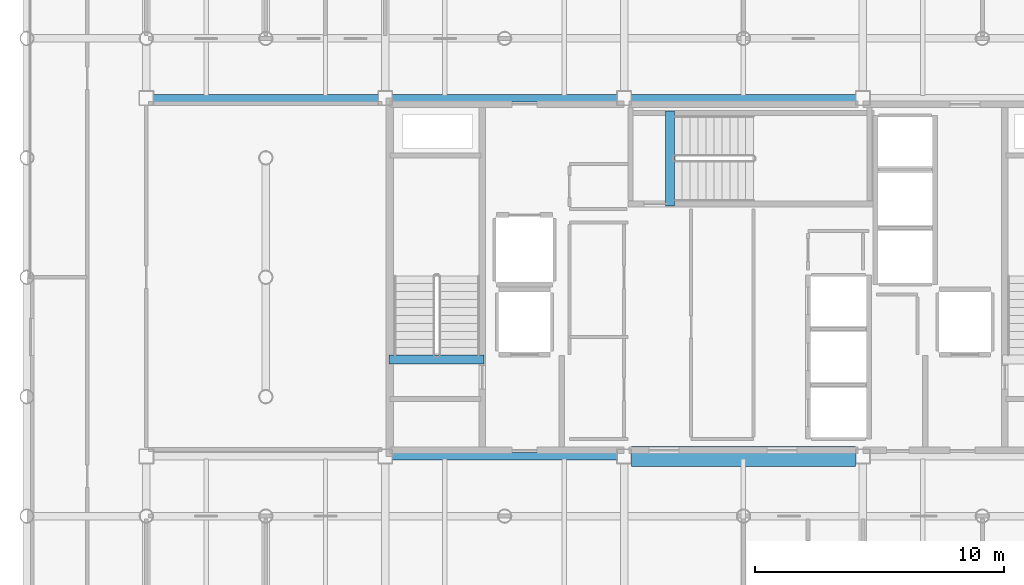
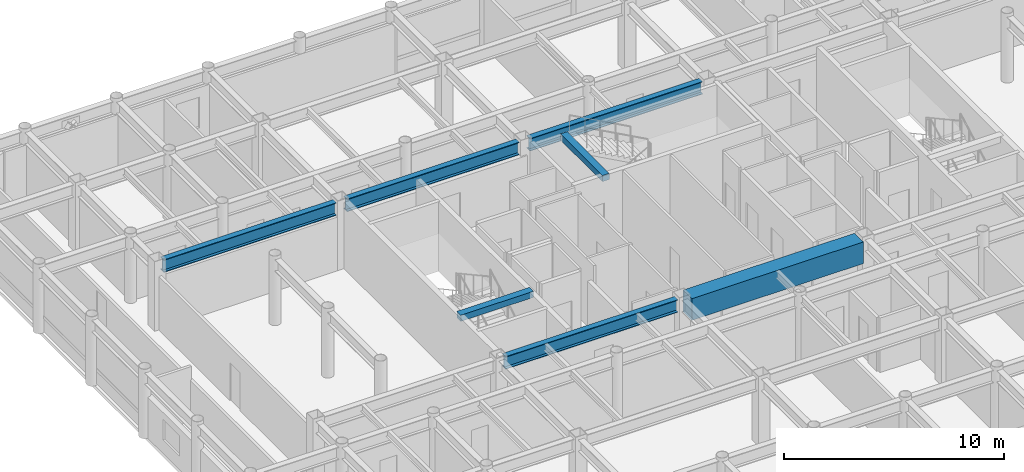
# One storey, part 7 of 21: 7 beams.
"""IFC4 building model written with IfcOpenShell, lengths in metres."""

from ifc_helpers import new_model, si_unit, direction, frame, origin, origin_2d, place, context, subcontext, project, spatial, rectangle, i_section, extrude, material, material_profile, profile_set, type_object, element, save


model = new_model("IFC4")

# Units and contexts
model_context = context("Model", 3, precision=1e-05, world=origin(), true_north=direction((0.0, 1.0)))
body_context = subcontext(model_context, "Body", "Model", "MODEL_VIEW")
ifc_project = project(units=[si_unit("LENGTHUNIT", "METRE"), si_unit("AREAUNIT", "SQUARE_METRE"), si_unit("VOLUMEUNIT", "CUBIC_METRE"), si_unit("PLANEANGLEUNIT", "RADIAN"), si_unit("MASSUNIT", "GRAM", prefix="KILO")], contexts=[model_context])

# Site, building, storey
site_placement = place(None, origin())
site = spatial("IfcSite", under=ifc_project, at=site_placement, CompositionType="ELEMENT")
building_placement = place(site_placement, origin())
building = spatial("IfcBuilding", under=site, at=building_placement, Name="Kallvorn Hotel Tower", CompositionType="ELEMENT")
storey_placement = place(building_placement, frame((0.0, 0.0, 210.75)))
storey = spatial("IfcBuildingStorey", under=building, at=storey_placement, Name="L52", CompositionType="ELEMENT", Elevation=210.75)

# Beams
ifc_material_1 = material(Name="Structural steel S355JR", Category="steel")
ifc_material_profile_1 = material_profile(ifc_material_1, i_section(OverallWidth=0.300048828125, OverallDepth=0.699951171875, WebThickness=0.01708984375, FlangeThickness=0.031982421875, at=origin_2d()), Name="HE 700 B")
ifc_profile_set_1 = profile_set([ifc_material_profile_1], Name="Structural steel S355JR")
beam_type_1 = type_object("IfcBeamType", Name="BM_HE700B", PredefinedType="BEAM", material=ifc_profile_set_1)
for number, where, z_axis, x_axis, name in (
    (1, (-14.125, -7.199951171875, 3.320068359375), (1.0, 0.0, 0.0), (0.0, 1.0, 0.0), "L53 Primary X-Girder 34"),
    (2, (-23.72509765625, 7.199951171875, 3.320068359375), (1.0, 0.0, 0.0), (0.0, 1.0, 0.0), "L53 Primary X-Girder 37"),
    (3, (-14.125, 7.199951171875, 3.320068359375), (1.0, 0.0, 0.0), (0.0, 1.0, 0.0), "L53 Primary X-Girder 38"),
):
    element("IfcBeam", number, at=place(storey_placement, frame(where, z_axis=z_axis, x_axis=x_axis)), inside=storey, type_object=beam_type_1, Name=name, PredefinedType="BEAM", context=body_context, shape_type="SweptSolid", body=[
        extrude(i_section(OverallWidth=0.300048828125, OverallDepth=0.699951171875, WebThickness=0.01708984375, FlangeThickness=0.031982421875, at=origin_2d()), origin(), (0.0, 0.0, 1.0), 9.050048828125),
    ])
beam_1_placement = place(storey_placement, frame((-4.52490234375, 7.199951171875, 3.320068359375), z_axis=(1.0, 0.0, 0.0), x_axis=(0.0, 1.0, 0.0)))
element("IfcBeam", 4, at=beam_1_placement, inside=storey, type_object=beam_type_1, Name="L53 Primary X-Girder 39", PredefinedType="BEAM", context=body_context, shape_type="SweptSolid", body=[
    extrude(i_section(OverallWidth=0.300048828125, OverallDepth=0.699951171875, WebThickness=0.01708984375, FlangeThickness=0.031982421875, at=origin_2d()), origin(), (0.0, 0.0, 1.0), 9.0498046875),
])
ifc_material_2 = material(Name="Concrete C50/60", Category="concrete")
ifc_material_profile_2 = material_profile(ifc_material_2, rectangle(XDim=0.360107421875, YDim=0.340087890625, at=origin_2d()), Name="RC 360x340")
ifc_profile_set_2 = profile_set([ifc_material_profile_2], Name="Concrete C50/60")
beam_type_2 = type_object("IfcBeamType", Name="BM_RC_400x360", PredefinedType="BEAM", material=ifc_profile_set_2)
beam_2_placement = place(storey_placement, frame((-10.419921875, -3.31005859375, 3.5), z_axis=(-1.0, 0.0, 0.0), x_axis=(0.0, -1.0, 0.0)))
element("IfcBeam", 5, at=beam_2_placement, inside=storey, type_object=beam_type_2, Name="L53 Stair ST1 Arrival Trimmer Beam", PredefinedType="BEAM", context=body_context, shape_type="SweptSolid", body=[
    extrude(rectangle(XDim=0.360107421875, YDim=0.340087890625, at=origin_2d()), origin(), (0.0, 0.0, 1.0), 3.820068359375),
])
beam_3_placement = place(storey_placement, frame((-2.9599609375, 2.8701171875, 3.5), z_axis=(0.0, 1.0, 0.0), x_axis=(-1.0, 0.0, 0.0)))
element("IfcBeam", 6, at=beam_3_placement, inside=storey, type_object=beam_type_2, Name="L53 Stair ST3 Arrival Trimmer Beam", PredefinedType="BEAM", context=body_context, shape_type="SweptSolid", body=[
    extrude(rectangle(XDim=0.360107421875, YDim=0.340087890625, at=origin_2d()), origin(), (0.0, 0.0, 1.0), 3.81982421875),
])
ifc_material_3 = material(Name="Concrete C50/60", Category="concrete")
ifc_material_profile_3 = material_profile(ifc_material_3, rectangle(XDim=0.800048828125, YDim=1.199951171875, at=origin_2d()), Name="RC 800x1200")
ifc_profile_set_3 = profile_set([ifc_material_profile_3], Name="Concrete C50/60")
beam_type_3 = type_object("IfcBeamType", Name="BM_RC_800x1200", PredefinedType="T_BEAM", material=ifc_profile_set_3)
beam_4_placement = place(storey_placement, frame((-4.5, -7.199951171875, 3.070068359375), z_axis=(1.0, 0.0, 0.0), x_axis=(0.0, 1.0, 0.0)))
element("IfcBeam", 7, at=beam_4_placement, inside=storey, type_object=beam_type_3, Name="L52 Core Coupling Beam South", PredefinedType="T_BEAM", context=body_context, shape_type="SweptSolid", body=[
    extrude(rectangle(XDim=0.800048828125, YDim=1.199951171875, at=origin_2d()), origin(), (0.0, 0.0, 1.0), 9.0),
])

save(model, "model.ifc")
